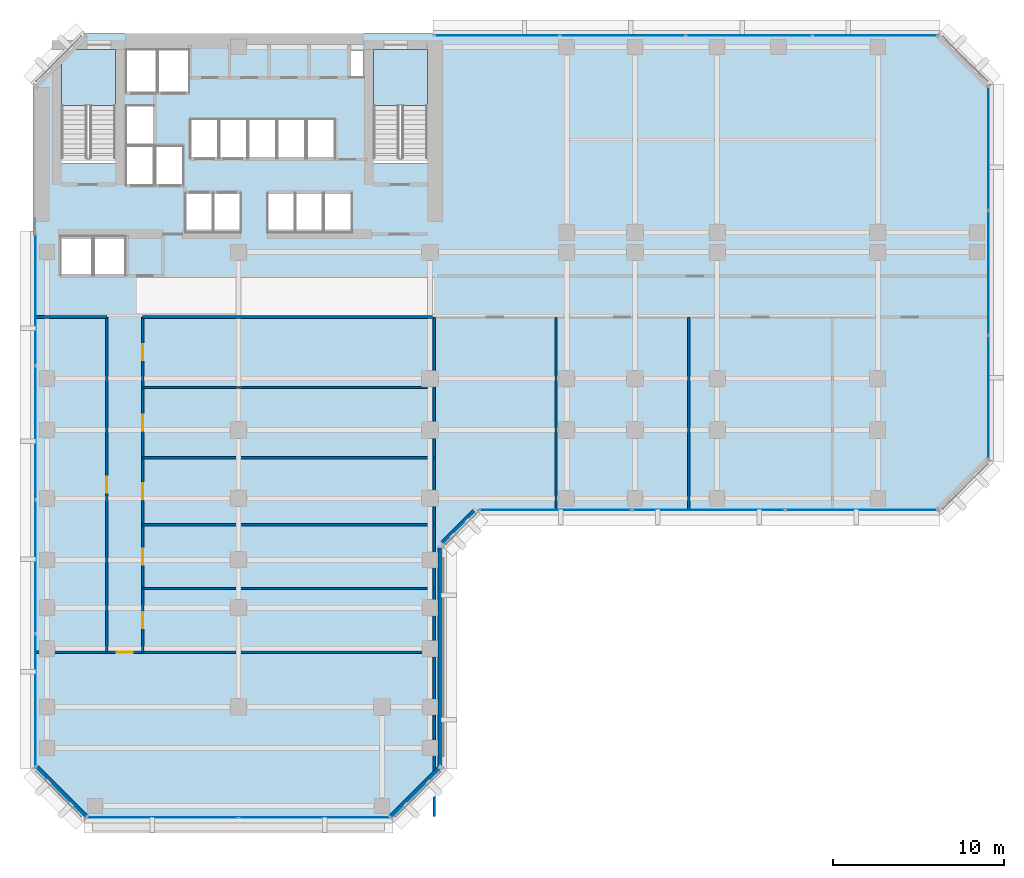
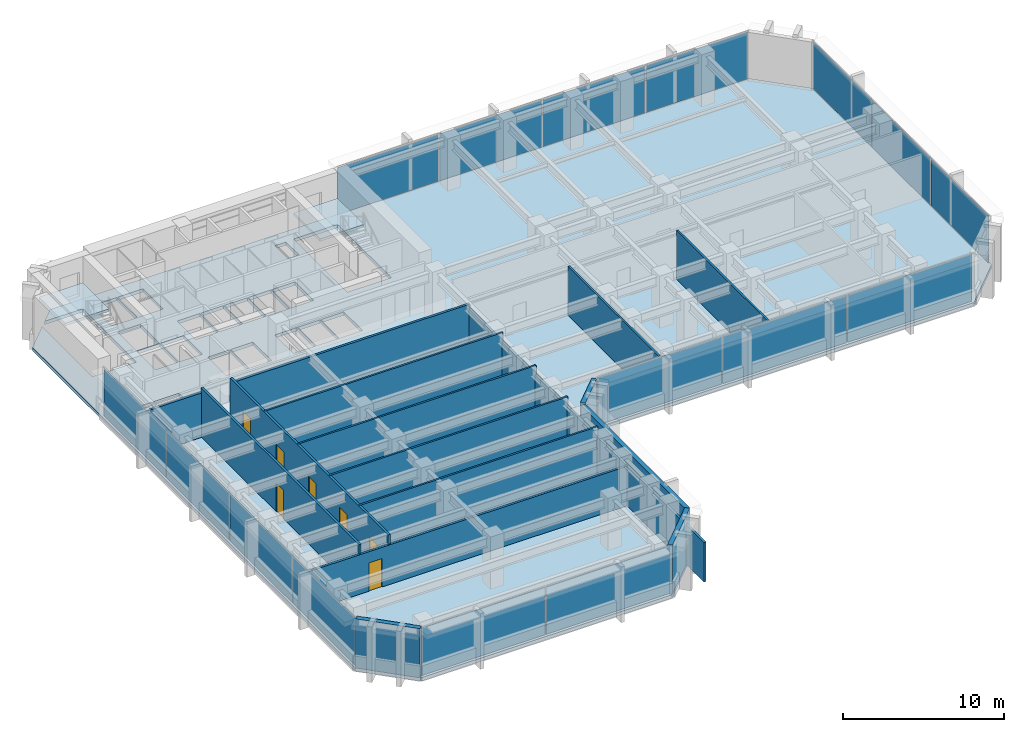
# One storey, part 6 of 13: 16 plates, 16 walls, 7 doors, 3 slabs, 7 openings, 7 elements without a shape of their own.
"""IFC4 building model written with IfcOpenShell, lengths in metres."""

from ifc_helpers import new_model, si_unit, direction, frame, frame_2d, origin, origin_2d, place, context, subcontext, project, spatial, polyline, rectangle, outline, extrude, material, layer, layer_set, type_object, element, fill, aggregate, save


model = new_model("IFC4")

# Units and contexts
model_context = context("Model", 3, precision=1e-05, world=origin(), true_north=direction((0.0, 1.0)))
body_context = subcontext(model_context, "Body", "Model", "MODEL_VIEW")
ifc_project = project(units=[si_unit("LENGTHUNIT", "METRE"), si_unit("AREAUNIT", "SQUARE_METRE"), si_unit("VOLUMEUNIT", "CUBIC_METRE"), si_unit("PLANEANGLEUNIT", "RADIAN"), si_unit("MASSUNIT", "GRAM", prefix="KILO")], contexts=[model_context])

# Site, building, storey
site_placement = place(None, origin())
site = spatial("IfcSite", under=ifc_project, at=site_placement, CompositionType="ELEMENT")
building_placement = place(site_placement, origin())
building = spatial("IfcBuilding", under=site, at=building_placement, Name="Kefirva Bronze Tower", CompositionType="ELEMENT")
storey_placement = place(building_placement, frame((0.0, 0.0, 81.840087890625)))
storey = spatial("IfcBuildingStorey", under=building, at=storey_placement, Name="L19", CompositionType="ELEMENT", Elevation=81.840087890625)

# Stair, slab
ifc_material_1 = material(Name="Concrete C40/50", Category="concrete")
stair_type = type_object("IfcStairType", Name="RC Dogleg Protected Stair 24R", PredefinedType="HALF_TURN_STAIR", material=ifc_material_1)
stair_1_placement = place(storey_placement, origin())
stair_1 = element("IfcStair", 1, at=stair_1_placement, inside=storey, type_object=stair_type, Name="L19 Protected Exit Stair 1", PredefinedType="HALF_TURN_STAIR")
ifc_layer_1 = layer(ifc_material_1, 0.199951171875, Name="Concrete C40/50")
ifc_layer_set_1 = layer_set([ifc_layer_1], Name="Concrete C40/50")
slab_type_1 = type_object("IfcSlabType", Name="RC Stair Landing Slab 200mm", PredefinedType="LANDING", material=ifc_layer_set_1)
slab_1_placement = place(storey_placement, frame((0.0, 0.0, 1.780029296875)))
slab_1 = element("IfcSlab", 2, at=slab_1_placement, type_object=slab_type_1, Name="ST-1 landing 1", PredefinedType="LANDING", context=body_context, shape_type="SweptSolid", body=[
    extrude(outline(polyline([(4.800048828125, 41.780029296875), (4.800048828125, 45.050048828125), (1.64990234375, 45.050048828125), (1.64990234375, 41.780029296875), (4.800048828125, 41.780029296875)])), origin(), (0.0, 0.0, 1.0), 0.199951171875),
])
aggregate(stair_1, [slab_1])

stair_2_placement = place(storey_placement, origin())
stair_2 = element("IfcStair", 3, at=stair_2_placement, inside=storey, type_object=stair_type, Name="L19 Protected Exit Stair 2", PredefinedType="HALF_TURN_STAIR")
slab_2_placement = place(storey_placement, frame((0.0, 0.0, 1.780029296875)))
slab_2 = element("IfcSlab", 4, at=slab_2_placement, type_object=slab_type_1, Name="ST-2 landing 1", PredefinedType="LANDING", context=body_context, shape_type="SweptSolid", body=[
    extrude(outline(polyline([(23.050048828125, 41.780029296875), (23.050048828125, 45.050048828125), (19.89990234375, 45.050048828125), (19.89990234375, 41.780029296875), (23.050048828125, 41.780029296875)])), origin(), (0.0, 0.0, 1.0), 0.199951171875),
])
aggregate(stair_2, [slab_2])

# Slab
ifc_layer_2 = layer(ifc_material_1, 0.25, Name="Concrete C40/50")
ifc_layer_set_2 = layer_set([ifc_layer_2], Name="Concrete C40/50")
slab_type_2 = type_object("IfcSlabType", Name="RC Tower Floor Slab 250mm", PredefinedType="FLOOR", material=ifc_layer_set_2)
slab_3_placement = place(storey_placement, frame((0.0, 0.0, -0.25)))
element("IfcSlab", 5, at=slab_3_placement, inside=storey, type_object=slab_type_2, Name="L19 Structural Floor Slab", PredefinedType="FLOOR", context=body_context, shape_type="SweptSolid", body=[
    extrude(outline(polyline([(0.0, 3.0), (0.0, 43.0), (1.64990234375, 44.64990234375), (1.64990234375, 38.39990234375), (4.800048828125, 38.39990234375), (4.800048828125, 45.050048828125), (2.050048828125, 45.050048828125), (3.0, 46.0), (53.0, 46.0), (56.0, 43.0), (56.0, 21.0), (53.0, 18.0), (26.0, 18.0), (24.0, 16.0), (24.0, 3.0), (21.0, 0.0), (3.0, 0.0), (0.0, 3.0)]), holes=[polyline([(19.89990234375, 38.39990234375), (23.050048828125, 38.39990234375), (23.050048828125, 45.050048828125), (19.89990234375, 45.050048828125), (19.89990234375, 38.39990234375)]), polyline([(18.52001953125, 43.419921875), (19.320068359375, 43.419921875), (19.320068359375, 45.0), (18.52001953125, 45.0), (18.52001953125, 43.419921875)]), polyline([(17.0, 34.35009765625), (18.64990234375, 34.35009765625), (18.64990234375, 36.64990234375), (17.0, 36.64990234375), (17.0, 34.35009765625)]), polyline([(17.64990234375, 38.679931640625), (17.64990234375, 40.97998046875), (16.0, 40.97998046875), (16.0, 38.679931640625), (17.64990234375, 38.679931640625)]), polyline([(16.949951171875, 34.35009765625), (16.949951171875, 36.64990234375), (15.35009765625, 36.64990234375), (15.35009765625, 34.35009765625), (16.949951171875, 34.35009765625)]), polyline([(15.929931640625, 38.679931640625), (15.929931640625, 40.97998046875), (14.300048828125, 40.97998046875), (14.300048828125, 38.679931640625), (15.929931640625, 38.679931640625)]), polyline([(15.300048828125, 34.35009765625), (15.300048828125, 36.64990234375), (13.699951171875, 36.64990234375), (13.699951171875, 34.35009765625), (15.300048828125, 34.35009765625)]), polyline([(14.22998046875, 38.679931640625), (14.22998046875, 40.97998046875), (12.60009765625, 40.97998046875), (12.60009765625, 38.679931640625), (14.22998046875, 38.679931640625)]), polyline([(10.89990234375, 38.679931640625), (12.530029296875, 38.679931640625), (12.530029296875, 40.97998046875), (10.89990234375, 40.97998046875), (10.89990234375, 38.679931640625)]), polyline([(12.139892578125, 34.35009765625), (12.139892578125, 36.64990234375), (10.5400390625, 36.64990234375), (10.5400390625, 34.35009765625), (12.139892578125, 34.35009765625)]), polyline([(10.830078125, 38.679931640625), (10.830078125, 40.97998046875), (9.199951171875, 40.97998046875), (9.199951171875, 38.679931640625), (10.830078125, 38.679931640625)]), polyline([(10.5, 34.35009765625), (10.5, 36.64990234375), (8.89990234375, 36.64990234375), (8.89990234375, 34.35009765625), (10.5, 34.35009765625)]), polyline([(7.300048828125, 42.550048828125), (9.1201171875, 42.550048828125), (9.1201171875, 45.050048828125), (7.300048828125, 45.050048828125), (7.300048828125, 42.550048828125)]), polyline([(7.139892578125, 37.10009765625), (8.780029296875, 37.10009765625), (8.780029296875, 39.39990234375), (7.139892578125, 39.39990234375), (7.139892578125, 37.10009765625)]), polyline([(5.419921875, 42.550048828125), (7.239990234375, 42.550048828125), (7.239990234375, 45.050048828125), (5.419921875, 45.050048828125), (5.419921875, 42.550048828125)]), polyline([(7.06005859375, 39.47998046875), (7.06005859375, 41.780029296875), (5.419921875, 41.780029296875), (5.419921875, 39.47998046875), (7.06005859375, 39.47998046875)]), polyline([(5.419921875, 37.10009765625), (7.06005859375, 37.10009765625), (7.06005859375, 39.39990234375), (5.419921875, 39.39990234375), (5.419921875, 37.10009765625)]), polyline([(5.39990234375, 31.85009765625), (5.39990234375, 34.14990234375), (3.550048828125, 34.14990234375), (3.550048828125, 31.85009765625), (5.39990234375, 31.85009765625)]), polyline([(3.449951171875, 31.85009765625), (3.449951171875, 34.14990234375), (1.60009765625, 34.14990234375), (1.60009765625, 31.85009765625), (3.449951171875, 31.85009765625)])]), origin(), (0.0, 0.0, 1.0), 0.25),
])

# Curtain wall, plates
ifc_material_2 = material(Name="Bronze anodised aluminium", Category="aluminium")
ifc_layer_3 = layer(ifc_material_2, 0.199951171875, Name="Bronze anodised aluminium")
ifc_layer_set_3 = layer_set([ifc_layer_3], Name="Bronze anodised aluminium")
curtain_wall_type = type_object("IfcCurtainWallType", Name="Unitised Bronze Ribbon Curtain Wall Zone 1", PredefinedType="USERDEFINED", material=ifc_layer_set_3)
curtain_wall_1_placement = place(storey_placement, origin())
curtain_wall_1 = element("IfcCurtainWall", 6, at=curtain_wall_1_placement, inside=storey, type_object=curtain_wall_type, Name="L19 Curtain Wall 1", ObjectType="UNITISED CURTAIN WALL", PredefinedType="USERDEFINED")
ifc_material_3 = material(Name="Laminated low-E double glazing", Category="glass")
ifc_layer_4 = layer(ifc_material_3, 0.031982421875, Name="Laminated low-E double glazing")
ifc_layer_set_4 = layer_set([ifc_layer_4], Name="Laminated low-E double glazing")
plate_type = type_object("IfcPlateType", Name="Solar-Control Low-E Vision Panel 32mm", PredefinedType="CURTAIN_PANEL", material=ifc_layer_set_4)
plate_1_placement = place(storey_placement, frame((7.546142578125, 0.1201171875, 0.074951171875), z_axis=(0.0, 0.0, 1.0), x_axis=(1.0, 0.0, 0.0)))
plate_1 = element("IfcPlate", 7, at=plate_1_placement, type_object=plate_type, Name="CW-01 panel 1.1", PredefinedType="CURTAIN_PANEL", context=body_context, shape_type="SweptSolid", body=[
    extrude(rectangle(XDim=8.83251953125, YDim=0.031982421875, at=origin_2d()), origin(), (0.0, 0.0, 1.0), 3.56005859375),
])
plate_2_placement = place(storey_placement, frame((16.453857421875, 0.1201171875, 0.074951171875), z_axis=(0.0, 0.0, 1.0), x_axis=(1.0, 0.0, 0.0)))
plate_2 = element("IfcPlate", 8, at=plate_2_placement, type_object=plate_type, Name="CW-01 panel 2.1", PredefinedType="CURTAIN_PANEL", context=body_context, shape_type="SweptSolid", body=[
    extrude(rectangle(XDim=8.83251953125, YDim=0.031982421875, at=origin_2d()), origin(), (0.0, 0.0, 1.0), 3.56005859375),
])
aggregate(curtain_wall_1, [plate_1, plate_2])

curtain_wall_2_placement = place(storey_placement, origin())
curtain_wall_2 = element("IfcCurtainWall", 9, at=curtain_wall_2_placement, inside=storey, type_object=curtain_wall_type, Name="L19 Curtain Wall 2", ObjectType="UNITISED CURTAIN WALL", PredefinedType="USERDEFINED")
plate_3_placement = place(storey_placement, frame((30.555419921875, 18.1201171875, 0.074951171875), z_axis=(0.0, 0.0, 1.0), x_axis=(1.0, 0.0, 0.0)))
plate_3 = element("IfcPlate", 10, at=plate_3_placement, type_object=plate_type, Name="CW-01 panel 1.1", PredefinedType="CURTAIN_PANEL", context=body_context, shape_type="SweptSolid", body=[
    extrude(rectangle(XDim=8.850830078125, YDim=0.031982421875, at=origin_2d()), origin(), (0.0, 0.0, 1.0), 3.56005859375),
])
plate_4_placement = place(storey_placement, frame((39.5, 18.1201171875, 0.074951171875), z_axis=(0.0, 0.0, 1.0), x_axis=(1.0, 0.0, 0.0)))
plate_4 = element("IfcPlate", 11, at=plate_4_placement, type_object=plate_type, Name="CW-01 panel 2.1", PredefinedType="CURTAIN_PANEL", context=body_context, shape_type="SweptSolid", body=[
    extrude(rectangle(XDim=8.888427734375, YDim=0.031982421875, at=origin_2d()), origin(), (0.0, 0.0, 1.0), 3.56005859375),
])
plate_5_placement = place(storey_placement, frame((48.444580078125, 18.1201171875, 0.074951171875), z_axis=(0.0, 0.0, 1.0), x_axis=(1.0, 0.0, 0.0)))
plate_5 = element("IfcPlate", 12, at=plate_5_placement, type_object=plate_type, Name="CW-01 panel 3.1", PredefinedType="CURTAIN_PANEL", context=body_context, shape_type="SweptSolid", body=[
    extrude(rectangle(XDim=8.850830078125, YDim=0.031982421875, at=origin_2d()), origin(), (0.0, 0.0, 1.0), 3.56005859375),
])
aggregate(curtain_wall_2, [plate_3, plate_4, plate_5])

curtain_wall_3_placement = place(storey_placement, origin())
curtain_wall_3 = element("IfcCurtainWall", 13, at=curtain_wall_3_placement, inside=storey, type_object=curtain_wall_type, Name="L19 Curtain Wall 3", ObjectType="UNITISED CURTAIN WALL", PredefinedType="USERDEFINED")
plate_6_placement = place(storey_placement, frame((55.8798828125, 24.72216796875, 0.074951171875), z_axis=(0.0, 0.0, 1.0), x_axis=(0.0, 1.0, 0.0)))
plate_6 = element("IfcPlate", 14, at=plate_6_placement, type_object=plate_type, Name="CW-01 panel 1.1", PredefinedType="CURTAIN_PANEL", context=body_context, shape_type="SweptSolid", body=[
    extrude(rectangle(XDim=7.18408203125, YDim=0.031982421875, at=origin_2d()), origin(), (0.0, 0.0, 1.0), 3.56005859375),
])
plate_7_placement = place(storey_placement, frame((55.8798828125, 32.0, 0.074951171875), z_axis=(0.0, 0.0, 1.0), x_axis=(0.0, 1.0, 0.0)))
plate_7 = element("IfcPlate", 15, at=plate_7_placement, type_object=plate_type, Name="CW-01 panel 2.1", PredefinedType="CURTAIN_PANEL", context=body_context, shape_type="SweptSolid", body=[
    extrude(rectangle(XDim=7.2216796875, YDim=0.031982421875, at=origin_2d()), origin(), (0.0, 0.0, 1.0), 3.56005859375),
])
plate_8_placement = place(storey_placement, frame((55.8798828125, 39.27783203125, 0.074951171875), z_axis=(0.0, 0.0, 1.0), x_axis=(0.0, 1.0, 0.0)))
plate_8 = element("IfcPlate", 16, at=plate_8_placement, type_object=plate_type, Name="CW-01 panel 3.1", PredefinedType="CURTAIN_PANEL", context=body_context, shape_type="SweptSolid", body=[
    extrude(rectangle(XDim=7.18408203125, YDim=0.031982421875, at=origin_2d()), origin(), (0.0, 0.0, 1.0), 3.56005859375),
])
aggregate(curtain_wall_3, [plate_6, plate_7, plate_8])

curtain_wall_4_placement = place(storey_placement, origin())
curtain_wall_4 = element("IfcCurtainWall", 17, at=curtain_wall_4_placement, inside=storey, type_object=curtain_wall_type, Name="L19 Curtain Wall 4", ObjectType="UNITISED CURTAIN WALL", PredefinedType="USERDEFINED")
plate_9_placement = place(storey_placement, frame((49.233642578125, 45.8798828125, 0.074951171875), z_axis=(0.0, 0.0, 1.0), x_axis=(-1.0, 0.0, 0.0)))
plate_9 = element("IfcPlate", 18, at=plate_9_placement, type_object=plate_type, Name="CW-01 panel 1.1", PredefinedType="CURTAIN_PANEL", context=body_context, shape_type="SweptSolid", body=[
    extrude(rectangle(XDim=7.2724609375, YDim=0.031982421875, at=origin_2d()), origin(), (0.0, 0.0, 1.0), 3.56005859375),
])
plate_10_placement = place(storey_placement, frame((41.867431640625, 45.8798828125, 0.074951171875), z_axis=(0.0, 0.0, 1.0), x_axis=(-1.0, 0.0, 0.0)))
plate_10 = element("IfcPlate", 19, at=plate_10_placement, type_object=plate_type, Name="CW-01 panel 2.1", PredefinedType="CURTAIN_PANEL", context=body_context, shape_type="SweptSolid", body=[
    extrude(rectangle(XDim=7.31005859375, YDim=0.031982421875, at=origin_2d()), origin(), (0.0, 0.0, 1.0), 3.56005859375),
])
plate_11_placement = place(storey_placement, frame((34.482421875, 45.8798828125, 0.074951171875), z_axis=(0.0, 0.0, 1.0), x_axis=(-1.0, 0.0, 0.0)))
plate_11 = element("IfcPlate", 20, at=plate_11_placement, type_object=plate_type, Name="CW-01 panel 3.1", PredefinedType="CURTAIN_PANEL", context=body_context, shape_type="SweptSolid", body=[
    extrude(rectangle(XDim=7.31005859375, YDim=0.031982421875, at=origin_2d()), origin(), (0.0, 0.0, 1.0), 3.56005859375),
])
plate_12_placement = place(storey_placement, frame((27.1162109375, 45.8798828125, 0.074951171875), z_axis=(0.0, 0.0, 1.0), x_axis=(-1.0, 0.0, 0.0)))
plate_12 = element("IfcPlate", 21, at=plate_12_placement, type_object=plate_type, Name="CW-01 panel 4.1", PredefinedType="CURTAIN_PANEL", context=body_context, shape_type="SweptSolid", body=[
    extrude(rectangle(XDim=7.2724609375, YDim=0.031982421875, at=origin_2d()), origin(), (0.0, 0.0, 1.0), 3.56005859375),
])
aggregate(curtain_wall_4, [plate_9, plate_10, plate_11, plate_12])

curtain_wall_5_placement = place(storey_placement, origin())
curtain_wall_5 = element("IfcCurtainWall", 22, at=curtain_wall_5_placement, inside=storey, type_object=curtain_wall_type, Name="L19 Curtain Wall 5", ObjectType="UNITISED CURTAIN WALL", PredefinedType="USERDEFINED")
plate_13_placement = place(storey_placement, frame((0.1201171875, 30.458740234375, 0.074951171875), z_axis=(0.0, 0.0, 1.0), x_axis=(0.0, -1.0, 0.0)))
plate_13 = element("IfcPlate", 23, at=plate_13_placement, type_object=plate_type, Name="CW-01 panel 1.1", PredefinedType="CURTAIN_PANEL", context=body_context, shape_type="SweptSolid", body=[
    extrude(rectangle(XDim=7.722412109375, YDim=0.031982421875, at=origin_2d()), origin(), (0.0, 0.0, 1.0), 3.56005859375),
])
plate_14_placement = place(storey_placement, frame((0.1201171875, 22.642578125, 0.074951171875), z_axis=(0.0, 0.0, 1.0), x_axis=(0.0, -1.0, 0.0)))
plate_14 = element("IfcPlate", 24, at=plate_14_placement, type_object=plate_type, Name="CW-01 panel 2.1", PredefinedType="CURTAIN_PANEL", context=body_context, shape_type="SweptSolid", body=[
    extrude(rectangle(XDim=7.760009765625, YDim=0.031982421875, at=origin_2d()), origin(), (0.0, 0.0, 1.0), 3.56005859375),
])
plate_15_placement = place(storey_placement, frame((0.1201171875, 14.8076171875, 0.074951171875), z_axis=(0.0, 0.0, 1.0), x_axis=(0.0, -1.0, 0.0)))
plate_15 = element("IfcPlate", 25, at=plate_15_placement, type_object=plate_type, Name="CW-01 panel 3.1", PredefinedType="CURTAIN_PANEL", context=body_context, shape_type="SweptSolid", body=[
    extrude(rectangle(XDim=7.760009765625, YDim=0.031982421875, at=origin_2d()), origin(), (0.0, 0.0, 1.0), 3.56005859375),
])
plate_16_placement = place(storey_placement, frame((0.1201171875, 6.9912109375, 0.074951171875), z_axis=(0.0, 0.0, 1.0), x_axis=(0.0, -1.0, 0.0)))
plate_16 = element("IfcPlate", 26, at=plate_16_placement, type_object=plate_type, Name="CW-01 panel 4.1", PredefinedType="CURTAIN_PANEL", context=body_context, shape_type="SweptSolid", body=[
    extrude(rectangle(XDim=7.722412109375, YDim=0.031982421875, at=origin_2d()), origin(), (0.0, 0.0, 1.0), 3.56005859375),
])
aggregate(curtain_wall_5, [plate_13, plate_14, plate_15, plate_16])

# Walls
ifc_material_4 = material(Name="Gypsum acoustic partition")
ifc_layer_5 = layer(ifc_material_4, 0.1298828125, Name="Gypsum acoustic partition")
ifc_layer_set_5 = layer_set([ifc_layer_5], Name="Gypsum acoustic partition")
wall_type_1 = type_object("IfcWallType", Name="Acoustic Office Partition 130mm", PredefinedType="PARTITIONING", material=ifc_layer_set_5)
for number, where, z_axis, x_axis, name in (
    (27, (6.39990234375, 13.52392578125, 0.0), (0.0, 0.0, 1.0), (1.0, 0.0, 0.0), "L19 Partition W-L19-SED1"),
    (28, (6.39990234375, 17.248046875, 0.0), (0.0, 0.0, 1.0), (1.0, 0.0, 0.0), "L19 Partition W-L19-SED2"),
    (29, (6.39990234375, 21.16796875, 0.0), (0.0, 0.0, 1.0), (1.0, 0.0, 0.0), "L19 Partition W-L19-SED3"),
    (30, (6.39990234375, 25.283935546875, 0.0), (0.0, 0.0, 1.0), (1.0, 0.0, 0.0), "L19 Partition W-L19-SED4"),
):
    element("IfcWall", number, at=place(storey_placement, frame(where, z_axis=z_axis, x_axis=x_axis)), inside=storey, type_object=wall_type_1, Name=name, PredefinedType="PARTITIONING", context=body_context, shape_type="SweptSolid", body=[
        extrude(rectangle(XDim=17.050048828125, YDim=0.1298828125, at=frame_2d((8.52490234375, 0.0))), origin(), (0.0, 0.0, 1.0), 3.7099609375),
    ])
for number, where, z_axis, x_axis, name in (
    (31, (30.569091796875, 18.18994140625, 0.0), (0.0, 0.0, 1.0), (0.0, 1.0, 0.0), "L19 Partition W-L19-ESD1"),
    (32, (38.335693359375, 18.18994140625, 0.0), (0.0, 0.0, 1.0), (0.0, 1.0, 0.0), "L19 Partition W-L19-ESD2"),
):
    element("IfcWall", number, at=place(storey_placement, frame(where, z_axis=z_axis, x_axis=x_axis)), inside=storey, type_object=wall_type_1, Name=name, PredefinedType="PARTITIONING", context=body_context, shape_type="SweptSolid", body=[
        extrude(rectangle(XDim=11.2099609375, YDim=0.1298828125, at=frame_2d((5.60498046875, 0.0))), origin(), (0.0, 0.0, 1.0), 3.7099609375),
    ])
ifc_material_5 = material(Name="Precast concrete C40/50", Category="concrete")
ifc_layer_6 = layer(ifc_material_5, 0.320068359375, Name="Precast concrete C40/50")
ifc_layer_set_6 = layer_set([ifc_layer_6], Name="Precast concrete C40/50")
wall_type_2 = type_object("IfcWallType", Name="Precast Insulated Exterior Wall 320mm", PredefinedType="SOLIDWALL", material=ifc_layer_set_6)
wall_1_placement = place(storey_placement, frame((20.92578125, 0.152099609375, 0.0), z_axis=(0.0, 0.0, 1.0), x_axis=(0.707106781187, 0.707106781187, 0.0)))
element("IfcWall", 33, at=wall_1_placement, inside=storey, type_object=wall_type_2, Name="L19 Exterior Facade Wall 1", PredefinedType="SOLIDWALL", context=body_context, shape_type="SweptSolid", body=[
    extrude(rectangle(XDim=4.132568359375, YDim=0.320068359375, at=frame_2d((2.06640625, 0.0))), origin(), (0.0, 0.0, 1.0), 3.7099609375),
])
wall_2_placement = place(storey_placement, frame((23.840087890625, 3.054931640625, 0.0), z_axis=(0.0, 0.0, 1.0), x_axis=(0.0, 1.0, 0.0)))
element("IfcWall", 34, at=wall_2_placement, inside=storey, type_object=wall_type_2, Name="L19 Exterior Facade Wall 2", PredefinedType="SOLIDWALL", context=body_context, shape_type="SweptSolid", body=[
    extrude(rectangle(XDim=12.89013671875, YDim=0.320068359375, at=frame_2d((6.445068359375, 0.0))), origin(), (0.0, 0.0, 1.0), 3.7099609375),
])
wall_3_placement = place(storey_placement, frame((23.92578125, 16.152099609375, 0.0), z_axis=(0.0, 0.0, 1.0), x_axis=(0.707106781187, 0.707106781187, 0.0)))
element("IfcWall", 35, at=wall_3_placement, inside=storey, type_object=wall_type_2, Name="L19 Exterior Facade Wall 3", PredefinedType="SOLIDWALL", context=body_context, shape_type="SweptSolid", body=[
    extrude(rectangle(XDim=2.71826171875, YDim=0.320068359375, at=frame_2d((1.359130859375, 0.0))), origin(), (0.0, 0.0, 1.0), 3.7099609375),
])
wall_4_placement = place(storey_placement, frame((0.152099609375, 3.07421875, 0.0), z_axis=(0.0, 0.0, 1.0), x_axis=(0.707106781187, -0.707106781187, 0.0)))
element("IfcWall", 36, at=wall_4_placement, inside=storey, type_object=wall_type_2, Name="L19 Exterior Facade Wall 7", PredefinedType="SOLIDWALL", context=body_context, shape_type="SweptSolid", body=[
    extrude(rectangle(XDim=4.132568359375, YDim=0.320068359375, at=frame_2d((2.06640625, 0.0))), origin(), (0.0, 0.0, 1.0), 3.7099609375),
])

# Wall, opening, door
ifc_layer_7 = layer(ifc_material_4, 0.159912109375, Name="Gypsum acoustic partition")
ifc_layer_set_7 = layer_set([ifc_layer_7], Name="Gypsum acoustic partition")
wall_type_3 = type_object("IfcWallType", Name="Protected Corridor Partition 160mm", PredefinedType="PARTITIONING", material=ifc_layer_set_7)
wall_5_placement = place(storey_placement, frame((4.300048828125, 9.800048828125, 0.0), z_axis=(0.0, 0.0, 1.0), x_axis=(0.0, 1.0, 0.0)))
wall_5 = element("IfcWall", 37, at=wall_5_placement, inside=storey, type_object=wall_type_3, Name="L19 Partition W-L19-SWCORW", PredefinedType="PARTITIONING", context=body_context, shape_type="SweptSolid", body=[
    extrude(rectangle(XDim=19.599853515625, YDim=0.159912109375, at=frame_2d((9.7998046875, 0.0))), origin(), (0.0, 0.0, 1.0), 3.7099609375),
])
opening_1_placement = place(wall_5_placement, frame((10.27490234375, 0.0, 0.0), z_axis=(0.0, 0.0, 1.0), x_axis=(-1.0, 0.0, 0.0)))
opening_1 = element("IfcOpeningElement", 38, at=opening_1_placement, cuts=wall_5, Name="Opening L19-D-SW1", PredefinedType="OPENING", context=body_context, shape_type="SweptSolid", body=[
    extrude(rectangle(XDim=0.949951171875, YDim=2.14990234375, at=frame_2d((0.47509765625, 1.074951171875))), frame((0.0, 0.08984375, 0.0), z_axis=(0.0, -1.0, 0.0), x_axis=(1.0, 0.0, 0.0)), (0.0, 0.0, 1.0), 0.179931640625),
])
ifc_material_6 = material(Name="Acoustic hardwood oak", Category="wood")
door_type = type_object("IfcDoorType", Name="Office & Meeting Room Door 950x2150", OperationType="NOTDEFINED", PredefinedType="DOOR", material=ifc_material_6)
door_1_placement = place(opening_1_placement, origin())
door_1 = element("IfcDoor", 39, at=door_1_placement, inside=storey, type_object=door_type, Name="Door L19-D-SW1", OperationType="SINGLE_SWING_RIGHT", OverallHeight=2.14990234375, OverallWidth=0.949951171875, PredefinedType="DOOR", context=body_context, shape_type="SweptSolid", body=[
    extrude(rectangle(XDim=0.949951171875, YDim=2.14990234375, at=frame_2d((0.47509765625, 1.074951171875))), frame((0.0, 0.02490234375, 0.0), z_axis=(0.0, -1.0, 0.0), x_axis=(1.0, 0.0, 0.0)), (0.0, 0.0, 1.0), 0.050048828125),
])
fill(opening_1, door_1)

# Wall, openings, doors
wall_6_placement = place(storey_placement, frame((6.39990234375, 9.800048828125, 0.0), z_axis=(0.0, 0.0, 1.0), x_axis=(0.0, 1.0, 0.0)))
wall_6 = element("IfcWall", 40, at=wall_6_placement, inside=storey, type_object=wall_type_3, Name="L19 Partition W-L19-SECORE", PredefinedType="PARTITIONING", context=body_context, shape_type="SweptSolid", body=[
    extrude(rectangle(XDim=19.599853515625, YDim=0.159912109375, at=frame_2d((9.7998046875, 0.0))), origin(), (0.0, 0.0, 1.0), 3.7099609375),
])
opening_2_placement = place(wall_6_placement, frame((1.386962890625, 0.0, 0.0)))
opening_2 = element("IfcOpeningElement", 41, at=opening_2_placement, cuts=wall_6, Name="Opening L19-D-SE1", PredefinedType="OPENING", context=body_context, shape_type="SweptSolid", body=[
    extrude(rectangle(XDim=0.949951171875, YDim=2.14990234375, at=frame_2d((0.47509765625, 1.074951171875))), frame((0.0, 0.08984375, 0.0), z_axis=(0.0, -1.0, 0.0), x_axis=(1.0, 0.0, 0.0)), (0.0, 0.0, 1.0), 0.179931640625),
])
opening_3_placement = place(wall_6_placement, frame((5.111083984375, 0.0, 0.0)))
opening_3 = element("IfcOpeningElement", 42, at=opening_3_placement, cuts=wall_6, Name="Opening L19-D-SE2", PredefinedType="OPENING", context=body_context, shape_type="SweptSolid", body=[
    extrude(rectangle(XDim=0.949951171875, YDim=2.14990234375, at=frame_2d((0.47509765625, 1.074951171875))), frame((0.0, 0.08984375, 0.0), z_axis=(0.0, -1.0, 0.0), x_axis=(1.0, 0.0, 0.0)), (0.0, 0.0, 1.0), 0.179931640625),
])
opening_4_placement = place(wall_6_placement, frame((8.93310546875, 0.0, 0.0)))
opening_4 = element("IfcOpeningElement", 43, at=opening_4_placement, cuts=wall_6, Name="Opening L19-D-SE3", PredefinedType="OPENING", context=body_context, shape_type="SweptSolid", body=[
    extrude(rectangle(XDim=0.949951171875, YDim=2.14990234375, at=frame_2d((0.47509765625, 1.074951171875))), frame((0.0, 0.08984375, 0.0), z_axis=(0.0, -1.0, 0.0), x_axis=(1.0, 0.0, 0.0)), (0.0, 0.0, 1.0), 0.179931640625),
])
opening_5_placement = place(wall_6_placement, frame((12.950927734375, 0.0, 0.0)))
opening_5 = element("IfcOpeningElement", 44, at=opening_5_placement, cuts=wall_6, Name="Opening L19-D-SE4", PredefinedType="OPENING", context=body_context, shape_type="SweptSolid", body=[
    extrude(rectangle(XDim=0.949951171875, YDim=2.14990234375, at=frame_2d((0.47509765625, 1.074951171875))), frame((0.0, 0.08984375, 0.0), z_axis=(0.0, -1.0, 0.0), x_axis=(1.0, 0.0, 0.0)), (0.0, 0.0, 1.0), 0.179931640625),
])
opening_6_placement = place(wall_6_placement, frame((17.06689453125, 0.0, 0.0)))
opening_6 = element("IfcOpeningElement", 45, at=opening_6_placement, cuts=wall_6, Name="Opening L19-D-SE5", PredefinedType="OPENING", context=body_context, shape_type="SweptSolid", body=[
    extrude(rectangle(XDim=0.949951171875, YDim=2.14990234375, at=frame_2d((0.47509765625, 1.074951171875))), frame((0.0, 0.08984375, 0.0), z_axis=(0.0, -1.0, 0.0), x_axis=(1.0, 0.0, 0.0)), (0.0, 0.0, 1.0), 0.179931640625),
])
door_2_placement = place(opening_2_placement, origin())
door_2 = element("IfcDoor", 46, at=door_2_placement, inside=storey, type_object=door_type, Name="Door L19-D-SE1", OperationType="SINGLE_SWING_LEFT", OverallHeight=2.14990234375, OverallWidth=0.949951171875, PredefinedType="DOOR", context=body_context, shape_type="SweptSolid", body=[
    extrude(rectangle(XDim=0.949951171875, YDim=2.14990234375, at=frame_2d((0.47509765625, 1.074951171875))), frame((0.0, 0.02490234375, 0.0), z_axis=(0.0, -1.0, 0.0), x_axis=(1.0, 0.0, 0.0)), (0.0, 0.0, 1.0), 0.050048828125),
])
fill(opening_2, door_2)
door_3_placement = place(opening_3_placement, origin())
door_3 = element("IfcDoor", 47, at=door_3_placement, inside=storey, type_object=door_type, Name="Door L19-D-SE2", OperationType="SINGLE_SWING_RIGHT", OverallHeight=2.14990234375, OverallWidth=0.949951171875, PredefinedType="DOOR", context=body_context, shape_type="SweptSolid", body=[
    extrude(rectangle(XDim=0.949951171875, YDim=2.14990234375, at=frame_2d((0.47509765625, 1.074951171875))), frame((0.0, 0.02490234375, 0.0), z_axis=(0.0, -1.0, 0.0), x_axis=(1.0, 0.0, 0.0)), (0.0, 0.0, 1.0), 0.050048828125),
])
fill(opening_3, door_3)
door_4_placement = place(opening_4_placement, origin())
door_4 = element("IfcDoor", 48, at=door_4_placement, inside=storey, type_object=door_type, Name="Door L19-D-SE3", OperationType="SINGLE_SWING_LEFT", OverallHeight=2.14990234375, OverallWidth=0.949951171875, PredefinedType="DOOR", context=body_context, shape_type="SweptSolid", body=[
    extrude(rectangle(XDim=0.949951171875, YDim=2.14990234375, at=frame_2d((0.47509765625, 1.074951171875))), frame((0.0, 0.02490234375, 0.0), z_axis=(0.0, -1.0, 0.0), x_axis=(1.0, 0.0, 0.0)), (0.0, 0.0, 1.0), 0.050048828125),
])
fill(opening_4, door_4)
door_5_placement = place(opening_5_placement, origin())
door_5 = element("IfcDoor", 49, at=door_5_placement, inside=storey, type_object=door_type, Name="Door L19-D-SE4", OperationType="SINGLE_SWING_RIGHT", OverallHeight=2.14990234375, OverallWidth=0.949951171875, PredefinedType="DOOR", context=body_context, shape_type="SweptSolid", body=[
    extrude(rectangle(XDim=0.949951171875, YDim=2.14990234375, at=frame_2d((0.47509765625, 1.074951171875))), frame((0.0, 0.02490234375, 0.0), z_axis=(0.0, -1.0, 0.0), x_axis=(1.0, 0.0, 0.0)), (0.0, 0.0, 1.0), 0.050048828125),
])
fill(opening_5, door_5)
door_6_placement = place(opening_6_placement, origin())
door_6 = element("IfcDoor", 50, at=door_6_placement, inside=storey, type_object=door_type, Name="Door L19-D-SE5", OperationType="SINGLE_SWING_LEFT", OverallHeight=2.14990234375, OverallWidth=0.949951171875, PredefinedType="DOOR", context=body_context, shape_type="SweptSolid", body=[
    extrude(rectangle(XDim=0.949951171875, YDim=2.14990234375, at=frame_2d((0.47509765625, 1.074951171875))), frame((0.0, 0.02490234375, 0.0), z_axis=(0.0, -1.0, 0.0), x_axis=(1.0, 0.0, 0.0)), (0.0, 0.0, 1.0), 0.050048828125),
])
fill(opening_6, door_6)

# Wall, opening, door
wall_7_placement = place(storey_placement, frame((0.18994140625, 9.800048828125, 0.0), z_axis=(0.0, 0.0, 1.0), x_axis=(1.0, 0.0, 0.0)))
wall_7 = element("IfcWall", 51, at=wall_7_placement, inside=storey, type_object=wall_type_3, Name="L19 Partition W-L19-SBEND", PredefinedType="PARTITIONING", context=body_context, shape_type="SweptSolid", body=[
    extrude(rectangle(XDim=23.260009765625, YDim=0.159912109375, at=frame_2d((11.6298828125, 0.0))), origin(), (0.0, 0.0, 1.0), 2.994873046875),
])
opening_7_placement = place(wall_7_placement, frame((4.68994140625, 0.0, 0.0)))
opening_7 = element("IfcOpeningElement", 52, at=opening_7_placement, cuts=wall_7, Name="Opening L19-D-SEND1", PredefinedType="OPENING", context=body_context, shape_type="SweptSolid", body=[
    extrude(rectangle(XDim=0.949951171875, YDim=2.14990234375, at=frame_2d((0.47509765625, 1.074951171875))), frame((0.0, 0.08984375, 0.0), z_axis=(0.0, -1.0, 0.0), x_axis=(1.0, 0.0, 0.0)), (0.0, 0.0, 1.0), 0.179931640625),
])
door_7_placement = place(opening_7_placement, origin())
door_7 = element("IfcDoor", 53, at=door_7_placement, inside=storey, type_object=door_type, Name="Door L19-D-SEND1", OperationType="SINGLE_SWING_LEFT", OverallHeight=2.14990234375, OverallWidth=0.949951171875, PredefinedType="DOOR", context=body_context, shape_type="SweptSolid", body=[
    extrude(rectangle(XDim=0.949951171875, YDim=2.14990234375, at=frame_2d((0.47509765625, 1.074951171875))), frame((0.0, 0.02490234375, 0.0), z_axis=(0.0, -1.0, 0.0), x_axis=(1.0, 0.0, 0.0)), (0.0, 0.0, 1.0), 0.050048828125),
])
fill(opening_7, door_7)

# Walls
wall_8_placement = place(storey_placement, frame((0.18994140625, 29.39990234375, 0.0), z_axis=(0.0, 0.0, 1.0), x_axis=(1.0, 0.0, 0.0)))
element("IfcWall", 54, at=wall_8_placement, inside=storey, type_object=wall_type_3, Name="L19 Partition W-L19-NWT", PredefinedType="PARTITIONING", context=body_context, shape_type="SweptSolid", body=[
    extrude(rectangle(XDim=4.110107421875, YDim=0.159912109375, at=frame_2d((2.05517578125, 0.0))), origin(), (0.0, 0.0, 1.0), 3.364990234375),
])
wall_9_placement = place(storey_placement, frame((6.39990234375, 29.39990234375, 0.0), z_axis=(0.0, 0.0, 1.0), x_axis=(1.0, 0.0, 0.0)))
element("IfcWall", 55, at=wall_9_placement, inside=storey, type_object=wall_type_3, Name="L19 Partition W-L19-NET", PredefinedType="PARTITIONING", context=body_context, shape_type="SweptSolid", body=[
    extrude(rectangle(XDim=17.050048828125, YDim=0.159912109375, at=frame_2d((8.52490234375, 0.0))), origin(), (0.0, 0.0, 1.0), 3.364990234375),
])
wall_10_placement = place(storey_placement, frame((23.449951171875, 0.18994140625, 0.0), z_axis=(0.0, 0.0, 1.0), x_axis=(0.0, 1.0, 0.0)))
element("IfcWall", 56, at=wall_10_placement, inside=storey, type_object=wall_type_3, Name="L19 Partition W-L19-SWEAST", PredefinedType="PARTITIONING", context=body_context, shape_type="SweptSolid", body=[
    extrude(rectangle(XDim=29.2099609375, YDim=0.159912109375, at=frame_2d((14.60498046875, 0.0))), origin(), (0.0, 0.0, 1.0), 2.994873046875),
])

save(model, "model.ifc")
